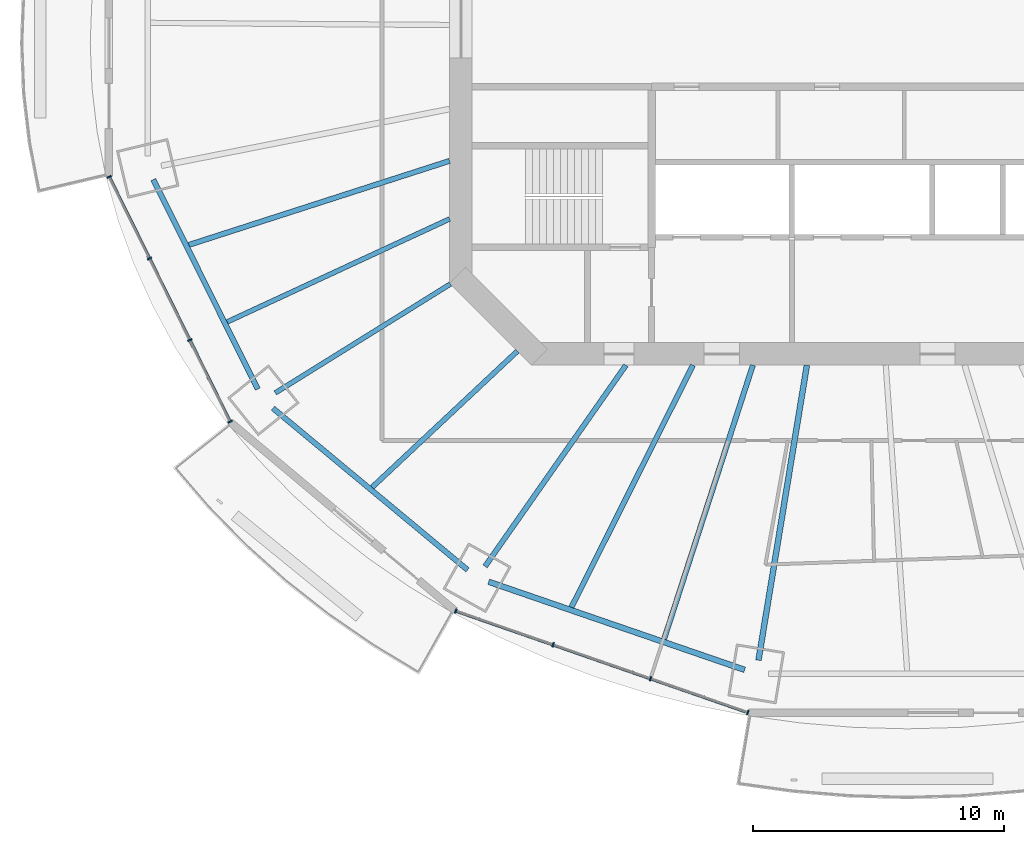
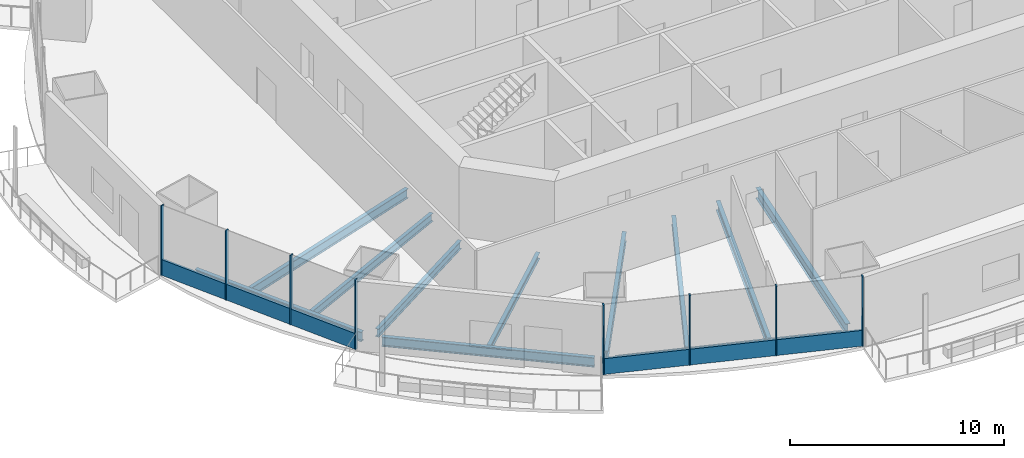
# One storey, part 2 of 20: 11 beams, 10 members, 2 elements without a shape of their own.
"""IFC4 building model written with IfcOpenShell, lengths in metres."""

import ifcopenshell
import ifcopenshell.guid

model = None  # the IFC model being written
_history = None  # IfcOwnerHistory: only IFC2X3 demands one
_inside = {}  # id of a spatial element -> (the spatial element, [elements in it])
_under = {}  # id of a project, library or spatial element -> (it, [spatial elements below it])
_declared = {}  # id of a project -> (the project, [libraries it declares])
_typed = {}  # id of a type object -> (the type object, [elements of that type])
_made_of = {}  # id of a material, layer set ... -> (it, [elements and type objects made of it])


def new_model(schema):
    """Start an empty IFC model of exactly this schema.

    Asked for "IFC4X3", IfcOpenShell would pick the latest addendum, in which some entities
    have other attributes; the version numbers below select the first issue.
    IFC2X3 requires an IfcOwnerHistory on every rooted entity: one is made here for all.
    """
    global model, _history
    if schema == "IFC4X3":
        model = ifcopenshell.file(schema_version=(4, 3, 0, 0))
    else:
        model = ifcopenshell.file(schema=schema)
    _inside.clear()
    _under.clear()
    _declared.clear()
    _typed.clear()
    _made_of.clear()
    _history = None
    if model.schema == "IFC2X3":
        org = make("IfcOrganization", Name="unknown")
        user = make(
            "IfcPersonAndOrganization",
            ThePerson=make("IfcPerson", FamilyName="unknown"),
            TheOrganization=org,
        )
        app = make(
            "IfcApplication",
            ApplicationDeveloper=org,
            Version="unknown",
            ApplicationFullName="unknown",
            ApplicationIdentifier="unknown",
        )
        _history = make(
            "IfcOwnerHistory",
            OwningUser=user,
            OwningApplication=app,
            ChangeAction="ADDED",
            CreationDate=0,
        )
    return model


def make(cls, **values):
    """One entity of the class cls with the attributes given. An attribute that is None is left unset."""
    return model.create_entity(
        cls, **{name: value for name, value in values.items() if value is not None}
    )


def rooted(cls, **values):
    """An entity with a GlobalId (a new one), such as an element, a storey or a relation."""
    return make(cls, GlobalId=ifcopenshell.guid.new(), OwnerHistory=_history, **values)


def si_unit(unit_type, name, prefix=None):
    """IfcSIUnit, for example si_unit("LENGTHUNIT", "METRE", prefix="MILLI")."""
    return make("IfcSIUnit", UnitType=unit_type, Prefix=prefix, Name=name)


def assignment(units):
    """IfcUnitAssignment: the units of a project."""
    return None if units is None else make("IfcUnitAssignment", Units=units)


def point(xyz):
    """IfcCartesianPoint."""
    return None if xyz is None else make("IfcCartesianPoint", Coordinates=xyz)


def direction(xyz):
    """IfcDirection."""
    return None if xyz is None else make("IfcDirection", DirectionRatios=xyz)


def frame(location, z_axis=None, x_axis=None):
    """IfcAxis2Placement3D, a coordinate frame: its origin and axes. An axis left out is left unset."""
    return make(
        "IfcAxis2Placement3D",
        Location=point(location),
        Axis=direction(z_axis),
        RefDirection=direction(x_axis),
    )


def frame_2d(location, x_axis=None):
    """IfcAxis2Placement2D, a coordinate frame in the plane: its origin and x axis."""
    return make(
        "IfcAxis2Placement2D", Location=point(location), RefDirection=direction(x_axis)
    )


def origin():
    """The frame at (0, 0, 0) with its axes left unset."""
    return frame((0.0, 0.0, 0.0))


def origin_2d():
    """The frame at (0, 0) in the plane with its x axis left unset."""
    return frame_2d((0.0, 0.0))


def place(relative_to, where):
    """IfcLocalPlacement: puts the frame where relative to a parent placement (None: the world)."""
    return make(
        "IfcLocalPlacement", PlacementRelTo=relative_to, RelativePlacement=where
    )


def context(
    kind, dimensions, precision=None, world=None, true_north=None, identifier=None
):
    """IfcGeometricRepresentationContext, for example the 3D "Model" context."""
    return make(
        "IfcGeometricRepresentationContext",
        ContextIdentifier=identifier,
        ContextType=kind,
        CoordinateSpaceDimension=dimensions,
        Precision=precision,
        WorldCoordinateSystem=world,
        TrueNorth=true_north,
    )


def subcontext(parent, identifier, kind, view, scale=None):
    """IfcGeometricRepresentationSubContext, for example "Body" below "Model"."""
    return make(
        "IfcGeometricRepresentationSubContext",
        ContextIdentifier=identifier,
        ContextType=kind,
        ParentContext=parent,
        TargetScale=scale,
        TargetView=view,
    )


def project(units=None, contexts=None):
    """IfcProject with its units and contexts."""
    return rooted(
        "IfcProject",
        Name="project",
        RepresentationContexts=contexts,
        UnitsInContext=assignment(units),
    )


def spatial(cls, under=None, at=None, **own):
    """A site, building, storey or space (cls), placed at a placement, below another one or the project."""
    s = rooted(cls, ObjectPlacement=at, **own)
    if under is not None:
        _under.setdefault(under.id(), (under, []))[1].append(s)
    return s


def profile(cls, at=None, kind="AREA", **sizes):
    """A parametric profile (cls). Its sizes go by their IFC names, for example OverallWidth=200.0."""
    return make(cls, ProfileType=kind, Position=at, **sizes)


def rectangle(**sizes):
    """IfcRectangleProfileDef."""
    return profile("IfcRectangleProfileDef", **sizes)


def i_section(**sizes):
    """IfcIShapeProfileDef."""
    return profile("IfcIShapeProfileDef", **sizes)


def extrude(swept, where, along, depth):
    """IfcExtrudedAreaSolid: the profile swept, set in the frame where, extruded along a direction by depth."""
    return make(
        "IfcExtrudedAreaSolid",
        SweptArea=swept,
        Position=where,
        ExtrudedDirection=direction(along),
        Depth=depth,
    )


def shape(context_of_items, identifier, shape_type, items):
    """IfcShapeRepresentation: the items that make up one representation, for example the "Body"."""
    return make(
        "IfcShapeRepresentation",
        ContextOfItems=context_of_items,
        RepresentationIdentifier=identifier,
        RepresentationType=shape_type,
        Items=items,
    )


def material(Name=None, Category=None):
    """IfcMaterial."""
    return make("IfcMaterial", Name=Name, Category=Category)


def material_profile(
    of_material, cross_section, Name=None, Category=None, Priority=None
):
    """IfcMaterialProfile: a cross section and its material."""
    return make(
        "IfcMaterialProfile",
        Name=Name,
        Material=of_material,
        Profile=cross_section,
        Priority=Priority,
        Category=Category,
    )


def profile_set(profiles, Name=None, composite=None):
    """IfcMaterialProfileSet."""
    return make(
        "IfcMaterialProfileSet",
        Name=Name,
        MaterialProfiles=profiles,
        CompositeProfile=composite,
    )


def made_of(thing, what):
    """Note that an element or type object is made of a material, layer set ...; save() writes the relation."""
    if what is not None:
        _made_of.setdefault(what.id(), (what, []))[1].append(thing)
    return thing


def type_object(cls, material=None, **own):
    """A type object (cls), such as IfcWallType, which elements share."""
    return made_of(rooted(cls, **own), material)


def element(
    cls,
    number,
    at=None,
    inside=None,
    cuts=None,
    type_object=None,
    material=None,
    context=None,
    identifier="Body",
    shape_type=None,
    held_by="IfcProductDefinitionShape",
    body=None,
    shapes=None,
    **own,
):
    """One element of the class cls, such as IfcWall. Its Tag is "e" and its number.

    at: its placement. inside: the storey or other place that contains it. cuts: it is an
    opening in that element (IfcRelVoidsElement). A single representation is given by context,
    identifier, shape_type and body (its items); several are given by shapes. held_by: the class
    of the entity that holds the representations. save() writes the other relations.
    """
    e = rooted(cls, Tag="e%d" % number, ObjectPlacement=at, **own)
    if body is not None:
        shapes = [shape(context, identifier, shape_type, body)]
    if shapes is not None:
        e.Representation = make(held_by, Representations=shapes)
    if inside is not None:
        _inside.setdefault(inside.id(), (inside, []))[1].append(e)
    if cuts is not None:
        rooted(
            "IfcRelVoidsElement", RelatingBuildingElement=cuts, RelatedOpeningElement=e
        )
    if type_object is not None:
        _typed.setdefault(type_object.id(), (type_object, []))[1].append(e)
    return made_of(e, material)


def aggregate(whole, parts):
    """IfcRelAggregates: a whole, such as a stair, and the parts it consists of."""
    return rooted("IfcRelAggregates", RelatingObject=whole, RelatedObjects=parts)


def save(model, path):
    """Write the relations noted so far, then the file.

    IfcRelAggregates (storeys below a building ...), IfcRelContainedInSpatialStructure (elements
    in a storey), IfcRelDefinesByType, IfcRelAssociatesMaterial and IfcRelDeclares: one each for
    every whole, place, type object, material and project.
    """
    for whole, parts in _under.values():
        aggregate(whole, parts)
    for where, things in _inside.values():
        rooted(
            "IfcRelContainedInSpatialStructure",
            RelatedElements=things,
            RelatingStructure=where,
        )
    for kind, things in _typed.values():
        rooted("IfcRelDefinesByType", RelatedObjects=things, RelatingType=kind)
    for what, things in _made_of.values():
        rooted("IfcRelAssociatesMaterial", RelatedObjects=things, RelatingMaterial=what)
    for by, libraries in _declared.values():
        rooted("IfcRelDeclares", RelatingContext=by, RelatedDefinitions=libraries)
    model.write(path)


model = new_model("IFC4")

# Units and contexts
model_context = context("Model", 3, precision=1e-05, world=origin(), true_north=direction((0.0, 1.0)))
body_context = subcontext(model_context, "Body", "Model", "MODEL_VIEW")
ifc_project = project(units=[si_unit("LENGTHUNIT", "METRE"), si_unit("AREAUNIT", "SQUARE_METRE"), si_unit("VOLUMEUNIT", "CUBIC_METRE"), si_unit("PLANEANGLEUNIT", "RADIAN"), si_unit("MASSUNIT", "GRAM", prefix="KILO")], contexts=[model_context])

# Site, building, storey
site_placement = place(None, origin())
site = spatial("IfcSite", under=ifc_project, at=site_placement, CompositionType="ELEMENT")
building_placement = place(site_placement, origin())
building = spatial("IfcBuilding", under=site, at=building_placement, Name="Marenthal Gate Tower", CompositionType="ELEMENT")
storey_placement = place(building_placement, frame((0.0, 0.0, 181.800048828125)))
storey = spatial("IfcBuildingStorey", under=building, at=storey_placement, Name="L39", CompositionType="ELEMENT", Elevation=181.800048828125)

# Curtain wall, members
ifc_material_1 = material(Name="Aluminium and glass", Category="aluminium")
curtain_wall_type = type_object("IfcCurtainWallType", Name="Curtain wall typical mid", PredefinedType="NOTDEFINED", material=ifc_material_1)
curtain_wall_1_placement = place(storey_placement, origin())
curtain_wall_1 = element("IfcCurtainWall", 1, at=curtain_wall_1_placement, inside=storey, type_object=curtain_wall_type, Name="Curtain wall L39 bay 9", PredefinedType="NOTDEFINED")
ifc_material_2 = material(Name="Aluminium", Category="aluminium")
ifc_material_profile_1 = material_profile(ifc_material_2, rectangle(XDim=0.179931640625, YDim=0.06005859375, at=origin_2d()), Name="60x180 aluminium mullion")
ifc_profile_set_1 = profile_set([ifc_material_profile_1], Name="Aluminium")
member_type_1 = type_object("IfcMemberType", Name="Mullion 60x180 typical mid", PredefinedType="MULLION", material=ifc_profile_set_1)
member_1_placement = place(storey_placement, frame((-30.02001953125, -5.9384765625, 0.0), z_axis=(0.0, 0.0, 1.0), x_axis=(0.89664343149, 0.442753381428, 0.0)))
member_1 = element("IfcMember", 2, at=member_1_placement, type_object=member_type_1, Name="Mullion L39 bay 9.1", PredefinedType="MULLION", context=body_context, shape_type="SweptSolid", body=[
    extrude(rectangle(XDim=0.179931640625, YDim=0.06005859375, at=origin_2d()), origin(), (0.0, 0.0, 1.0), 3.969970703125),
])
member_2_placement = place(storey_placement, frame((-28.413330078125, -9.19189453125, 0.0), z_axis=(0.0, 0.0, 1.0), x_axis=(0.89664343149, 0.442753381428, 0.0)))
member_2 = element("IfcMember", 3, at=member_2_placement, type_object=member_type_1, Name="Mullion L39 bay 9.2", PredefinedType="MULLION", context=body_context, shape_type="SweptSolid", body=[
    extrude(rectangle(XDim=0.179931640625, YDim=0.06005859375, at=origin_2d()), origin(), (0.0, 0.0, 1.0), 3.969970703125),
])
member_3_placement = place(storey_placement, frame((-26.806884765625, -12.445556640625, 0.0), z_axis=(0.0, 0.0, 1.0), x_axis=(0.89664343149, 0.442753381428, 0.0)))
member_3 = element("IfcMember", 4, at=member_3_placement, type_object=member_type_1, Name="Mullion L39 bay 9.3", PredefinedType="MULLION", context=body_context, shape_type="SweptSolid", body=[
    extrude(rectangle(XDim=0.179931640625, YDim=0.06005859375, at=origin_2d()), origin(), (0.0, 0.0, 1.0), 3.969970703125),
])
member_4_placement = place(storey_placement, frame((-25.2001953125, -15.698974609375, 0.0), z_axis=(0.0, 0.0, 1.0), x_axis=(0.89664343149, 0.442753381428, 0.0)))
member_4 = element("IfcMember", 5, at=member_4_placement, type_object=member_type_1, Name="Mullion L39 bay 9.4", PredefinedType="MULLION", context=body_context, shape_type="SweptSolid", body=[
    extrude(rectangle(XDim=0.179931640625, YDim=0.06005859375, at=origin_2d()), origin(), (0.0, 0.0, 1.0), 3.969970703125),
])

curtain_wall_2_placement = place(storey_placement, origin())
curtain_wall_2 = element("IfcCurtainWall", 6, at=curtain_wall_2_placement, inside=storey, type_object=curtain_wall_type, Name="Curtain wall L39 bay 11", PredefinedType="NOTDEFINED")
member_5_placement = place(storey_placement, frame((-16.203857421875, -23.24755859375, 0.0), z_axis=(0.0, 0.0, 1.0), x_axis=(0.32821091538, 0.944604464856, 0.0)))
member_5 = element("IfcMember", 7, at=member_5_placement, type_object=member_type_1, Name="Mullion L39 bay 11.1", PredefinedType="MULLION", context=body_context, shape_type="SweptSolid", body=[
    extrude(rectangle(XDim=0.179931640625, YDim=0.06005859375, at=origin_2d()), origin(), (0.0, 0.0, 1.0), 3.969970703125),
])
member_6_placement = place(storey_placement, frame((-12.32275390625, -24.595947265625, 0.0), z_axis=(0.0, 0.0, 1.0), x_axis=(0.32821091538, 0.944604464856, 0.0)))
member_6 = element("IfcMember", 8, at=member_6_placement, type_object=member_type_1, Name="Mullion L39 bay 11.2", PredefinedType="MULLION", context=body_context, shape_type="SweptSolid", body=[
    extrude(rectangle(XDim=0.179931640625, YDim=0.06005859375, at=origin_2d()), origin(), (0.0, 0.0, 1.0), 3.969970703125),
])
member_7_placement = place(storey_placement, frame((-8.44140625, -25.944580078125, 0.0), z_axis=(0.0, 0.0, 1.0), x_axis=(0.32821091538, 0.944604464856, 0.0)))
member_7 = element("IfcMember", 9, at=member_7_placement, type_object=member_type_1, Name="Mullion L39 bay 11.3", PredefinedType="MULLION", context=body_context, shape_type="SweptSolid", body=[
    extrude(rectangle(XDim=0.179931640625, YDim=0.06005859375, at=origin_2d()), origin(), (0.0, 0.0, 1.0), 3.969970703125),
])
member_8_placement = place(storey_placement, frame((-4.560302734375, -27.29296875, 0.0), z_axis=(0.0, 0.0, 1.0), x_axis=(0.32821091538, 0.944604464856, 0.0)))
member_8 = element("IfcMember", 10, at=member_8_placement, type_object=member_type_1, Name="Mullion L39 bay 11.4", PredefinedType="MULLION", context=body_context, shape_type="SweptSolid", body=[
    extrude(rectangle(XDim=0.179931640625, YDim=0.06005859375, at=origin_2d()), origin(), (0.0, 0.0, 1.0), 3.969970703125),
])

# Member
ifc_material_3 = material(Name="Aluminium", Category="aluminium")
ifc_material_profile_2 = material_profile(ifc_material_3, rectangle(XDim=0.1201171875, YDim=0.89990234375, at=origin_2d()), Name="120x900 aluminium transom")
ifc_profile_set_2 = profile_set([ifc_material_profile_2], Name="Aluminium")
member_type_2 = type_object("IfcMemberType", Name="Transom 120x900 typical mid", PredefinedType="USERDEFINED", material=ifc_profile_set_2)
member_9_placement = place(storey_placement, frame((-30.0068359375, -5.96533203125, 0.449951171875), z_axis=(0.442760838876, -0.896639749039, 0.0), x_axis=(0.896639749039, 0.442760838876, 0.0)))
member_9 = element("IfcMember", 11, at=member_9_placement, type_object=member_type_2, Name="Transom L39 bay 9", ObjectType="TRANSOM", PredefinedType="USERDEFINED", context=body_context, shape_type="SweptSolid", body=[
    extrude(rectangle(XDim=0.1201171875, YDim=0.89990234375, at=origin_2d()), origin(), (0.0, 0.0, 1.0), 10.82568359375),
])

aggregate(curtain_wall_1, [member_1, member_2, member_3, member_4, member_9])

member_10_placement = place(storey_placement, frame((-16.175537109375, -23.25732421875, 0.449951171875), z_axis=(0.944606832313, -0.328204101661, 0.0), x_axis=(0.328204101661, 0.944606832313, 0.0)))
member_10 = element("IfcMember", 12, at=member_10_placement, type_object=member_type_2, Name="Transom L39 bay 11", ObjectType="TRANSOM", PredefinedType="USERDEFINED", context=body_context, shape_type="SweptSolid", body=[
    extrude(rectangle(XDim=0.1201171875, YDim=0.89990234375, at=origin_2d()), origin(), (0.0, 0.0, 1.0), 12.266357421875),
])

aggregate(curtain_wall_2, [member_5, member_6, member_7, member_8, member_10])

# Beams
ifc_material_4 = material(Name="Steel S355", Category="steel")
ifc_material_profile_3 = material_profile(ifc_material_4, i_section(OverallWidth=0.205078125, OverallDepth=0.35302734375, WebThickness=0.009521484375, FlangeThickness=0.016845703125, FilletRadius=0.014892578125, at=origin_2d()), Name="W360X79")
ifc_profile_set_3 = profile_set([ifc_material_profile_3], Name="Steel S355")
beam_type_1 = type_object("IfcBeamType", Name="W360X79 beam", PredefinedType="BEAM", material=ifc_profile_set_3)
beam_1_placement = place(storey_placement, frame((-19.535888671875, -18.31298828125, -0.3564453125), z_axis=(0.729574634834, 0.683901200618, 0.0), x_axis=(-0.683901200618, 0.729574634834, 0.0)))
element("IfcBeam", 13, at=beam_1_placement, inside=storey, type_object=beam_type_1, Name="BM-L39-31", PredefinedType="BEAM", context=body_context, shape_type="SweptSolid", body=[
    extrude(i_section(OverallWidth=0.205078125, OverallDepth=0.35302734375, WebThickness=0.009521484375, FlangeThickness=0.016845703125, FilletRadius=0.014892578125, at=origin_2d()), origin(), (0.0, 0.0, 1.0), 7.9326171875),
])
ifc_material_5 = material(Name="Steel S355", Category="steel")
ifc_material_profile_4 = material_profile(ifc_material_5, i_section(OverallWidth=0.193115234375, OverallDepth=0.467041015625, WebThickness=0.011474609375, FlangeThickness=0.01904296875, FilletRadius=0.010009765625, at=origin_2d()), Name="W460X97")
ifc_profile_set_4 = profile_set([ifc_material_profile_4], Name="Steel S355")
beam_type_2 = type_object("IfcBeamType", Name="W460X97 beam", PredefinedType="BEAM", material=ifc_profile_set_4)
beam_2_placement = place(storey_placement, frame((-23.399658203125, -14.5537109375, -0.41357421875), z_axis=(0.849156399263, 0.528141467403, 0.0), x_axis=(-0.528141467403, 0.849156399263, 0.0)))
element("IfcBeam", 14, at=beam_2_placement, inside=storey, type_object=beam_type_2, Name="BM-L39-10", PredefinedType="BEAM", context=body_context, shape_type="SweptSolid", body=[
    extrude(i_section(OverallWidth=0.193115234375, OverallDepth=0.467041015625, WebThickness=0.011474609375, FlangeThickness=0.01904296875, FilletRadius=0.010009765625, at=origin_2d()), origin(), (0.0, 0.0, 1.0), 8.216796875),
])
beam_3_placement = place(storey_placement, frame((-25.31396484375, -11.721923828125, -0.41357421875), z_axis=(0.907436377592, 0.420189505607, 0.0), x_axis=(-0.420189505607, 0.907436377592, 0.0)))
element("IfcBeam", 15, at=beam_3_placement, inside=storey, type_object=beam_type_2, Name="BM-L39-30", PredefinedType="BEAM", context=body_context, shape_type="SweptSolid", body=[
    extrude(i_section(OverallWidth=0.193115234375, OverallDepth=0.467041015625, WebThickness=0.011474609375, FlangeThickness=0.01904296875, FilletRadius=0.010009765625, at=origin_2d()), origin(), (0.0, 0.0, 1.0), 9.768310546875),
])
ifc_material_6 = material(Name="Steel S355", Category="steel")
ifc_material_profile_5 = material_profile(ifc_material_6, i_section(OverallWidth=0.2099609375, OverallDepth=0.535888671875, WebThickness=0.010986328125, FlangeThickness=0.017333984375, FilletRadius=0.0126953125, at=origin_2d()), Name="W530X101")
ifc_profile_set_5 = profile_set([ifc_material_profile_5], Name="Steel S355")
beam_type_3 = type_object("IfcBeamType", Name="W530X101 beam", PredefinedType="BEAM", material=ifc_profile_set_5)
beam_4_placement = place(storey_placement, frame((-15.035400390625, -21.46875, -0.447998046875), z_axis=(0.573638073102, 0.819108882316, 0.0), x_axis=(-0.819108882316, 0.573638073102, 0.0)))
element("IfcBeam", 16, at=beam_4_placement, inside=storey, type_object=beam_type_3, Name="BM-L39-11", PredefinedType="BEAM", context=body_context, shape_type="SweptSolid", body=[
    extrude(i_section(OverallWidth=0.2099609375, OverallDepth=0.535888671875, WebThickness=0.010986328125, FlangeThickness=0.017333984375, FilletRadius=0.0126953125, at=origin_2d()), origin(), (0.0, 0.0, 1.0), 9.78955078125),
])
beam_5_placement = place(storey_placement, frame((-26.8447265625, -8.652099609375, -0.447998046875), z_axis=(0.95178380621, 0.306769597966, 0.0), x_axis=(-0.306769597966, 0.95178380621, 0.0)))
element("IfcBeam", 17, at=beam_5_placement, inside=storey, type_object=beam_type_3, Name="BM-L39-29", PredefinedType="BEAM", context=body_context, shape_type="SweptSolid", body=[
    extrude(i_section(OverallWidth=0.2099609375, OverallDepth=0.535888671875, WebThickness=0.010986328125, FlangeThickness=0.017333984375, FilletRadius=0.0126953125, at=origin_2d()), origin(), (0.0, 0.0, 1.0), 10.92138671875),
])
beam_6_placement = place(storey_placement, frame((-11.59228515625, -23.09716796875, -0.447998046875), z_axis=(0.448561123223, 0.89375215733, 0.0), x_axis=(-0.89375215733, 0.448561123223, 0.0)))
element("IfcBeam", 18, at=beam_6_placement, inside=storey, type_object=beam_type_3, Name="BM-L39-32", PredefinedType="BEAM", context=body_context, shape_type="SweptSolid", body=[
    extrude(i_section(OverallWidth=0.2099609375, OverallDepth=0.535888671875, WebThickness=0.010986328125, FlangeThickness=0.017333984375, FilletRadius=0.0126953125, at=origin_2d()), origin(), (0.0, 0.0, 1.0), 10.7939453125),
])
beam_7_placement = place(storey_placement, frame((-7.898681640625, -24.367919921875, -0.447998046875), z_axis=(0.308354878304, 0.951271396094, 0.0), x_axis=(-0.951271396094, 0.308354878304, 0.0)))
element("IfcBeam", 19, at=beam_7_placement, inside=storey, type_object=beam_type_3, Name="BM-L39-33", PredefinedType="BEAM", context=body_context, shape_type="SweptSolid", body=[
    extrude(i_section(OverallWidth=0.2099609375, OverallDepth=0.535888671875, WebThickness=0.010986328125, FlangeThickness=0.017333984375, FilletRadius=0.0126953125, at=origin_2d()), origin(), (0.0, 0.0, 1.0), 11.477294921875),
])
ifc_material_7 = material(Name="Steel S355", Category="steel")
ifc_material_profile_6 = material_profile(ifc_material_7, i_section(OverallWidth=0.2119140625, OverallDepth=0.5439453125, WebThickness=0.01318359375, FlangeThickness=0.021240234375, FilletRadius=0.0126953125, at=origin_2d()), Name="W530X123")
ifc_profile_set_6 = profile_set([ifc_material_profile_6], Name="Steel S355")
beam_type_4 = type_object("IfcBeamType", Name="W530X123 beam", PredefinedType="BEAM", material=ifc_profile_set_6)
beam_8_placement = place(storey_placement, frame((-28.26025390625, -6.051513671875, -0.4521484375), z_axis=(0.446271515311, -0.894897611251, 0.0), x_axis=(0.894897611251, 0.446271515311, 0.0)))
element("IfcBeam", 20, at=beam_8_placement, inside=storey, type_object=beam_type_4, Name="BM-L39-49", PredefinedType="BEAM", context=body_context, shape_type="SweptSolid", body=[
    extrude(i_section(OverallWidth=0.2119140625, OverallDepth=0.5439453125, WebThickness=0.01318359375, FlangeThickness=0.021240234375, FilletRadius=0.0126953125, at=origin_2d()), origin(), (0.0, 0.0, 1.0), 9.331787109375),
])
beam_9_placement = place(storey_placement, frame((-23.49267578125, -15.164306640625, -0.4521484375), z_axis=(0.769263759488, -0.638931348689, 0.0), x_axis=(0.638931348689, 0.769263759488, 0.0)))
element("IfcBeam", 21, at=beam_9_placement, inside=storey, type_object=beam_type_4, Name="BM-L39-50", PredefinedType="BEAM", context=body_context, shape_type="SweptSolid", body=[
    extrude(i_section(OverallWidth=0.2119140625, OverallDepth=0.5439453125, WebThickness=0.01318359375, FlangeThickness=0.021240234375, FilletRadius=0.0126953125, at=origin_2d()), origin(), (0.0, 0.0, 1.0), 10.087158203125),
])
ifc_material_8 = material(Name="Steel S355", Category="steel")
ifc_material_profile_7 = material_profile(ifc_material_8, i_section(OverallWidth=0.22900390625, OverallDepth=0.612060546875, WebThickness=0.011962890625, FlangeThickness=0.01953125, FilletRadius=0.0126953125, at=origin_2d()), Name="W610X125")
ifc_profile_set_7 = profile_set([ifc_material_profile_7], Name="Steel S355")
beam_type_5 = type_object("IfcBeamType", Name="W610X125 beam", PredefinedType="BEAM", material=ifc_profile_set_7)
beam_10_placement = place(storey_placement, frame((-4.134765625, -25.21044921875, -0.486083984375), z_axis=(0.161857113859, 0.986814204748, 0.0), x_axis=(-0.986814204748, 0.161857113859, 0.0)))
element("IfcBeam", 22, at=beam_10_placement, inside=storey, type_object=beam_type_5, Name="BM-L39-12", PredefinedType="BEAM", context=body_context, shape_type="SweptSolid", body=[
    extrude(i_section(OverallWidth=0.22900390625, OverallDepth=0.612060546875, WebThickness=0.011962890625, FlangeThickness=0.01953125, FilletRadius=0.0126953125, at=origin_2d()), origin(), (0.0, 0.0, 1.0), 11.917724609375),
])
beam_11_placement = place(storey_placement, frame((-14.890869140625, -22.083251953125, -0.486083984375), z_axis=(0.945598979252, -0.325334551559, 0.0), x_axis=(0.325334551559, 0.945598979252, 0.0)))
element("IfcBeam", 23, at=beam_11_placement, inside=storey, type_object=beam_type_5, Name="BM-L39-51", PredefinedType="BEAM", context=body_context, shape_type="SweptSolid", body=[
    extrude(i_section(OverallWidth=0.22900390625, OverallDepth=0.612060546875, WebThickness=0.011962890625, FlangeThickness=0.01953125, FilletRadius=0.0126953125, at=origin_2d()), origin(), (0.0, 0.0, 1.0), 10.7919921875),
])

save(model, "model.ifc")
